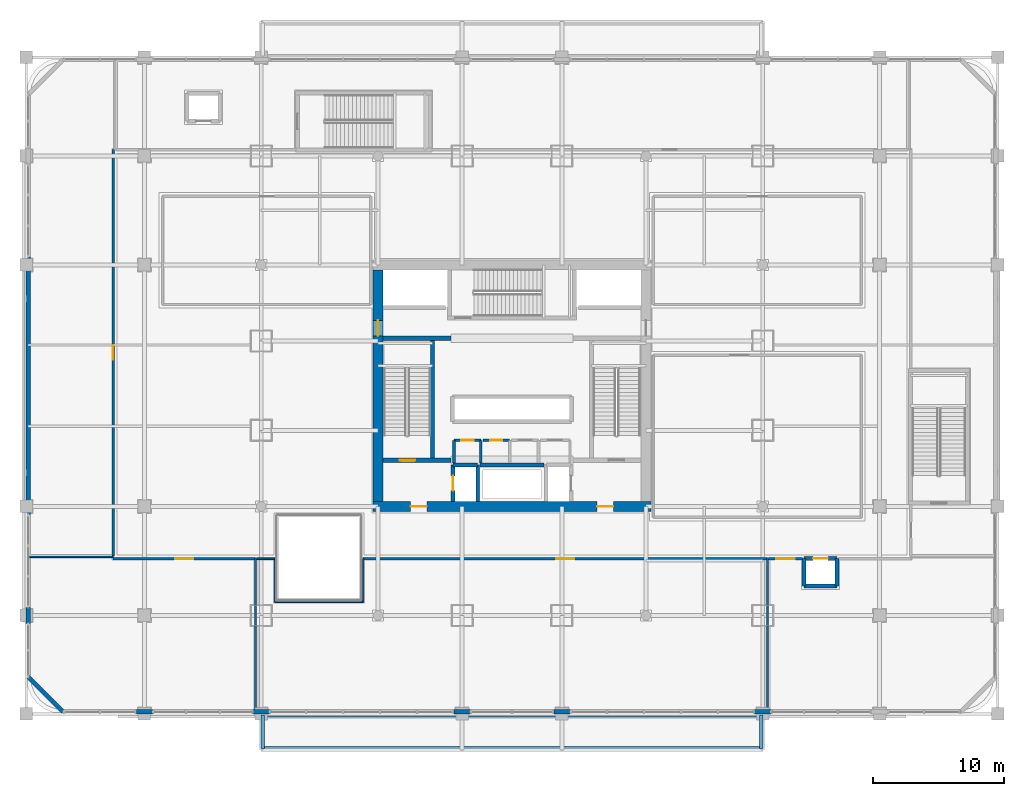
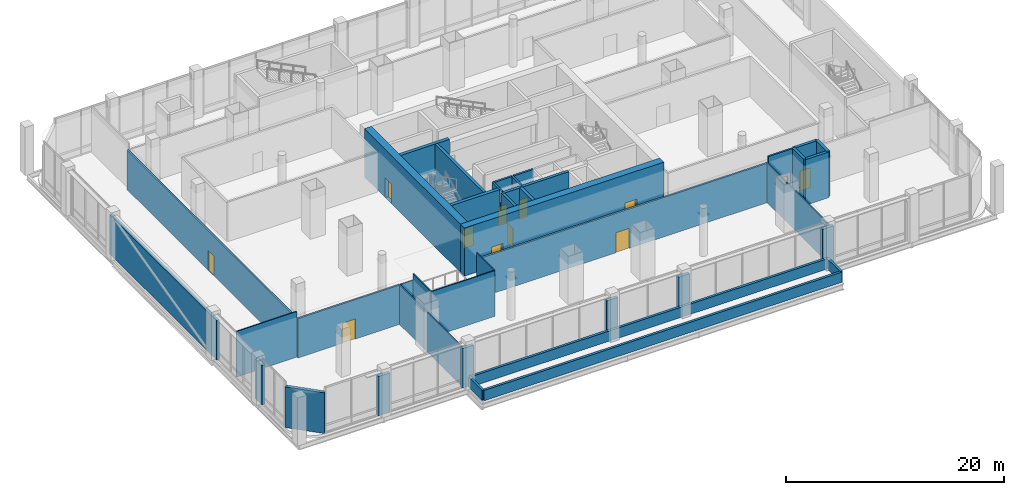
# One storey, part 29 of 43: 40 walls, 12 doors, 12 openings.
"""IFC4 building model written with IfcOpenShell, lengths in metres."""

from ifc_helpers import new_model, si_unit, direction, frame, frame_2d, origin, place, context, subcontext, project, spatial, rectangle, extrude, material, layer, layer_set, type_object, element, fill, save


model = new_model("IFC4")

# Units and contexts
model_context = context("Model", 3, precision=1e-05, world=origin(), true_north=direction((0.0, 1.0)))
body_context = subcontext(model_context, "Body", "Model", "MODEL_VIEW")
ifc_project = project(units=[si_unit("LENGTHUNIT", "METRE"), si_unit("AREAUNIT", "SQUARE_METRE"), si_unit("VOLUMEUNIT", "CUBIC_METRE"), si_unit("PLANEANGLEUNIT", "RADIAN"), si_unit("MASSUNIT", "GRAM", prefix="KILO")], contexts=[model_context])

# Site, building, storey
site_placement = place(None, origin())
site = spatial("IfcSite", under=ifc_project, at=site_placement, CompositionType="ELEMENT")
building_placement = place(site_placement, origin())
building = spatial("IfcBuilding", under=site, at=building_placement, Name="Punatoya Terracotta Tower", CompositionType="ELEMENT")
storey_placement = place(building_placement, frame((0.0, 0.0, 6.0)))
storey = spatial("IfcBuildingStorey", under=building, at=storey_placement, Name="L01", CompositionType="ELEMENT", Elevation=6.0)

# Wall, openings, doors
ifc_material_1 = material(Name="Concrete C60/75", Category="concrete")
ifc_layer_1 = layer(ifc_material_1, 0.75)
ifc_layer_set_1 = layer_set([ifc_layer_1], Name="Concrete C60/75")
wall_type_1 = type_object("IfcWallType", Name="WL-COR-750", PredefinedType="SHEAR", material=ifc_layer_set_1)
wall_1_placement = place(storey_placement, frame((10.574951171875, -9.199951171875, 0.0), z_axis=(0.0, 0.0, 1.0), x_axis=(-1.0, 0.0, 0.0)))
wall_1 = element("IfcWall", 1, at=wall_1_placement, inside=storey, type_object=wall_type_1, Name="L01 Core Shear Wall S", PredefinedType="SHEAR", context=body_context, shape_type="SweptSolid", body=[
    extrude(rectangle(XDim=21.14990234375, YDim=0.75, at=frame_2d((10.574951171875, 0.0))), origin(), (0.0, 0.0, 1.0), 5.39990234375),
])
opening_1_placement = place(wall_1_placement, frame((2.85009765625, 0.0, 0.0)))
opening_1 = element("IfcOpeningElement", 2, at=opening_1_placement, cuts=wall_1, Name="Opening FD-L1", PredefinedType="OPENING", context=body_context, shape_type="SweptSolid", body=[
    extrude(rectangle(XDim=1.25, YDim=2.25, at=frame_2d((0.625, 1.125))), frame((0.0, 0.385009765625, 0.0), z_axis=(0.0, -1.0, 0.0), x_axis=(1.0, 0.0, 0.0)), (0.0, 0.0, 1.0), 0.77001953125),
])
opening_2_placement = place(wall_1_placement, frame((17.050048828125, 0.0, 0.0)))
opening_2 = element("IfcOpeningElement", 3, at=opening_2_placement, cuts=wall_1, Name="Opening FD-L1", PredefinedType="OPENING", context=body_context, shape_type="SweptSolid", body=[
    extrude(rectangle(XDim=1.25, YDim=2.25, at=frame_2d((0.625, 1.125))), frame((0.0, 0.385009765625, 0.0), z_axis=(0.0, -1.0, 0.0), x_axis=(1.0, 0.0, 0.0)), (0.0, 0.0, 1.0), 0.77001953125),
])
ifc_material_2 = material(Name="Galvanised Steel Smokeproof Fire Door", Category="steel")
door_type_1 = type_object("IfcDoorType", Name="DR-FFL-1250", OperationType="NOTDEFINED", PredefinedType="DOOR", material=ifc_material_2)
door_1_placement = place(opening_1_placement, origin())
door_1 = element("IfcDoor", 4, at=door_1_placement, inside=storey, type_object=door_type_1, Name="L01 East Firefighting Lobby Corridor Fire Door", OperationType="SINGLE_SWING_LEFT", OverallHeight=2.25, OverallWidth=1.25, PredefinedType="DOOR", context=body_context, shape_type="SweptSolid", body=[
    extrude(rectangle(XDim=1.25, YDim=2.25, at=frame_2d((0.625, 1.125))), frame((0.0, 0.02490234375, 0.0), z_axis=(0.0, -1.0, 0.0), x_axis=(1.0, 0.0, 0.0)), (0.0, 0.0, 1.0), 0.050048828125),
])
fill(opening_1, door_1)
door_2_placement = place(opening_2_placement, origin())
door_2 = element("IfcDoor", 5, at=door_2_placement, inside=storey, type_object=door_type_1, Name="L01 West Firefighting Lobby Corridor Fire Door", OperationType="SINGLE_SWING_RIGHT", OverallHeight=2.25, OverallWidth=1.25, PredefinedType="DOOR", context=body_context, shape_type="SweptSolid", body=[
    extrude(rectangle(XDim=1.25, YDim=2.25, at=frame_2d((0.625, 1.125))), frame((0.0, 0.02490234375, 0.0), z_axis=(0.0, -1.0, 0.0), x_axis=(1.0, 0.0, 0.0)), (0.0, 0.0, 1.0), 0.050048828125),
])
fill(opening_2, door_2)

# Wall, opening, door
wall_2_placement = place(storey_placement, frame((-10.199951171875, -8.824951171875, 0.0), z_axis=(0.0, 0.0, 1.0), x_axis=(0.0, 1.0, 0.0)))
wall_2 = element("IfcWall", 6, at=wall_2_placement, inside=storey, type_object=wall_type_1, Name="L01 Core Shear Wall W", PredefinedType="SHEAR", context=body_context, shape_type="SweptSolid", body=[
    extrude(rectangle(XDim=17.64990234375, YDim=0.75, at=frame_2d((8.824951171875, 0.0))), origin(), (0.0, 0.0, 1.0), 5.39990234375),
])
opening_3_placement = place(wall_2_placement, frame((12.614990234375, 0.0, 0.0)))
opening_3 = element("IfcOpeningElement", 7, at=opening_3_placement, cuts=wall_2, Name="Opening SD-01", PredefinedType="OPENING", context=body_context, shape_type="SweptSolid", body=[
    extrude(rectangle(XDim=1.179931640625, YDim=2.199951171875, at=frame_2d((0.58984375, 1.10009765625))), frame((0.0, 0.385009765625, 0.0), z_axis=(0.0, -1.0, 0.0), x_axis=(1.0, 0.0, 0.0)), (0.0, 0.0, 1.0), 0.77001953125),
])
ifc_material_3 = material(Name="Galvanised Steel Pressurized Stair Fire Door", Category="steel")
door_type_2 = type_object("IfcDoorType", Name="DR-STR-1180", OperationType="NOTDEFINED", PredefinedType="DOOR", material=ifc_material_3)
door_3_placement = place(opening_3_placement, origin())
door_3 = element("IfcDoor", 8, at=door_3_placement, inside=storey, type_object=door_type_2, Name="L01 Central Lift Lobby West Fire Door", OperationType="SINGLE_SWING_LEFT", OverallHeight=2.199951171875, OverallWidth=1.179931640625, PredefinedType="DOOR", context=body_context, shape_type="SweptSolid", body=[
    extrude(rectangle(XDim=1.179931640625, YDim=2.199951171875, at=frame_2d((0.58984375, 1.10009765625))), frame((0.0, 0.02490234375, 0.0), z_axis=(0.0, -1.0, 0.0), x_axis=(1.0, 0.0, 0.0)), (0.0, 0.0, 1.0), 0.050048828125),
])
fill(opening_3, door_3)

ifc_material_4 = material(Name="Gypsum Fireboard + Steel Stud", Category="steel")
ifc_layer_2 = layer(ifc_material_4, 0.179931640625)
ifc_layer_set_2 = layer_set([ifc_layer_2], Name="Gypsum Fireboard + Steel Stud")
wall_type_2 = type_object("IfcWallType", Name="WL-CORR-180", PredefinedType="PARTITIONING", material=ifc_layer_set_2)
wall_3_placement = place(storey_placement, frame((-30.3798828125, -13.179931640625, 0.0), z_axis=(0.0, 0.0, 1.0), x_axis=(1.0, 0.0, 0.0)))
wall_3 = element("IfcWall", 9, at=wall_3_placement, inside=storey, type_object=wall_type_2, Name="L01 South-West Plenary Seminar Suite Partition 11", PredefinedType="PARTITIONING", context=body_context, shape_type="SweptSolid", body=[
    extrude(rectangle(XDim=10.83984375, YDim=0.179931640625, at=frame_2d((5.419921875, 0.0))), origin(), (0.0, 0.0, 1.0), 4.4140625),
])
opening_4_placement = place(wall_3_placement, frame((4.719970703125, 0.0, 0.0)))
opening_4 = element("IfcOpeningElement", 10, at=opening_4_placement, cuts=wall_3, Name="Opening BD-01", PredefinedType="OPENING", context=body_context, shape_type="SweptSolid", body=[
    extrude(rectangle(XDim=1.39990234375, YDim=2.25, at=frame_2d((0.699951171875, 1.125))), frame((0.0, 0.099853515625, 0.0), z_axis=(0.0, -1.0, 0.0), x_axis=(1.0, 0.0, 0.0)), (0.0, 0.0, 1.0), 0.199951171875),
])
ifc_material_5 = material(Name="Bengal Teak Acoustic Leaf")
door_type_3 = type_object("IfcDoorType", Name="DR-BRD-1400", OperationType="NOTDEFINED", PredefinedType="DOOR", material=ifc_material_5)
door_4_placement = place(opening_4_placement, origin())
door_4 = element("IfcDoor", 11, at=door_4_placement, inside=storey, type_object=door_type_3, Name="L01 South-West Plenary Seminar Suite Door", OperationType="SINGLE_SWING_RIGHT", OverallHeight=2.25, OverallWidth=1.39990234375, PredefinedType="DOOR", context=body_context, shape_type="SweptSolid", body=[
    extrude(rectangle(XDim=1.39990234375, YDim=2.25, at=frame_2d((0.699951171875, 1.125))), frame((0.0, 0.02490234375, 0.0), z_axis=(0.0, -1.0, 0.0), x_axis=(1.0, 0.0, 0.0)), (0.0, 0.0, 1.0), 0.050048828125),
])
fill(opening_4, door_4)

wall_4_placement = place(storey_placement, frame((-11.340087890625, -13.179931640625, 0.0), z_axis=(0.0, 0.0, 1.0), x_axis=(1.0, 0.0, 0.0)))
wall_4 = element("IfcWall", 12, at=wall_4_placement, inside=storey, type_object=wall_type_2, Name="L01 South Canal View Breakout Lounge Partition 17", PredefinedType="PARTITIONING", context=body_context, shape_type="SweptSolid", body=[
    extrude(rectangle(XDim=30.800048828125, YDim=0.179931640625, at=frame_2d((15.39990234375, 0.0))), origin(), (0.0, 0.0, 1.0), 4.4140625),
])
opening_5_placement = place(wall_4_placement, frame((14.699951171875, 0.0, 0.0)))
opening_5 = element("IfcOpeningElement", 13, at=opening_5_placement, cuts=wall_4, Name="Opening BD-01", PredefinedType="OPENING", context=body_context, shape_type="SweptSolid", body=[
    extrude(rectangle(XDim=1.39990234375, YDim=2.25, at=frame_2d((0.699951171875, 1.125))), frame((0.0, 0.099853515625, 0.0), z_axis=(0.0, -1.0, 0.0), x_axis=(1.0, 0.0, 0.0)), (0.0, 0.0, 1.0), 0.199951171875),
])
door_5_placement = place(opening_5_placement, origin())
door_5 = element("IfcDoor", 14, at=door_5_placement, inside=storey, type_object=door_type_3, Name="L01 South Canal View Breakout Lounge Door", OperationType="SINGLE_SWING_LEFT", OverallHeight=2.25, OverallWidth=1.39990234375, PredefinedType="DOOR", context=body_context, shape_type="SweptSolid", body=[
    extrude(rectangle(XDim=1.39990234375, YDim=2.25, at=frame_2d((0.699951171875, 1.125))), frame((0.0, 0.02490234375, 0.0), z_axis=(0.0, -1.0, 0.0), x_axis=(1.0, 0.0, 0.0)), (0.0, 0.0, 1.0), 0.050048828125),
])
fill(opening_5, door_5)

wall_5_placement = place(storey_placement, frame((19.5400390625, -13.179931640625, 0.0), z_axis=(0.0, 0.0, 1.0), x_axis=(1.0, 0.0, 0.0)))
wall_5 = element("IfcWall", 15, at=wall_5_placement, inside=storey, type_object=wall_type_2, Name="L01 South-East Waterfront Symposium Room Partition 19", PredefinedType="PARTITIONING", context=body_context, shape_type="SweptSolid", body=[
    extrude(rectangle(XDim=2.599853515625, YDim=0.179931640625, at=frame_2d((1.2998046875, 0.0))), origin(), (0.0, 0.0, 1.0), 5.1201171875),
])
opening_6_placement = place(wall_5_placement, frame((0.60009765625, 0.0, 0.0)))
opening_6 = element("IfcOpeningElement", 16, at=opening_6_placement, cuts=wall_5, Name="Opening BD-01", PredefinedType="OPENING", context=body_context, shape_type="SweptSolid", body=[
    extrude(rectangle(XDim=1.39990234375, YDim=2.25, at=frame_2d((0.699951171875, 1.125))), frame((0.0, 0.099853515625, 0.0), z_axis=(0.0, -1.0, 0.0), x_axis=(1.0, 0.0, 0.0)), (0.0, 0.0, 1.0), 0.199951171875),
])
door_6_placement = place(opening_6_placement, origin())
door_6 = element("IfcDoor", 17, at=door_6_placement, inside=storey, type_object=door_type_3, Name="L01 South-East Waterfront Symposium Room Door", OperationType="SINGLE_SWING_RIGHT", OverallHeight=2.25, OverallWidth=1.39990234375, PredefinedType="DOOR", context=body_context, shape_type="SweptSolid", body=[
    extrude(rectangle(XDim=1.39990234375, YDim=2.25, at=frame_2d((0.699951171875, 1.125))), frame((0.0, 0.02490234375, 0.0), z_axis=(0.0, -1.0, 0.0), x_axis=(1.0, 0.0, 0.0)), (0.0, 0.0, 1.0), 0.050048828125),
])
fill(opening_6, door_6)

wall_6_placement = place(storey_placement, frame((-30.3798828125, 17.97998046875, 0.0), z_axis=(0.0, 0.0, 1.0), x_axis=(0.0, -1.0, 0.0)))
wall_6 = element("IfcWall", 18, at=wall_6_placement, inside=storey, type_object=wall_type_2, Name="L01 West Corporate Training Centre Partition 23", PredefinedType="PARTITIONING", context=body_context, shape_type="SweptSolid", body=[
    extrude(rectangle(XDim=30.93994140625, YDim=0.179931640625, at=frame_2d((15.469970703125, 0.0))), origin(), (0.0, 0.0, 1.0), 4.4140625),
])
opening_7_placement = place(wall_6_placement, frame((14.945068359375, 0.0, 0.0)))
opening_7 = element("IfcOpeningElement", 19, at=opening_7_placement, cuts=wall_6, Name="Opening OD-01", PredefinedType="OPENING", context=body_context, shape_type="SweptSolid", body=[
    extrude(rectangle(XDim=1.050048828125, YDim=2.199951171875, at=frame_2d((0.52490234375, 1.10009765625))), frame((0.0, 0.099853515625, 0.0), z_axis=(0.0, -1.0, 0.0), x_axis=(1.0, 0.0, 0.0)), (0.0, 0.0, 1.0), 0.199951171875),
])
ifc_material_6 = material(Name="Bengal Teak Solid-Core Leaf")
door_type_4 = type_object("IfcDoorType", Name="DR-OFF-1050", OperationType="NOTDEFINED", PredefinedType="DOOR", material=ifc_material_6)
door_7_placement = place(opening_7_placement, origin())
door_7 = element("IfcDoor", 20, at=door_7_placement, inside=storey, type_object=door_type_4, Name="L01 West Corporate Training Centre Door", OperationType="SINGLE_SWING_LEFT", OverallHeight=2.199951171875, OverallWidth=1.050048828125, PredefinedType="DOOR", context=body_context, shape_type="SweptSolid", body=[
    extrude(rectangle(XDim=1.050048828125, YDim=2.199951171875, at=frame_2d((0.52490234375, 1.10009765625))), frame((0.0, 0.02490234375, 0.0), z_axis=(0.0, -1.0, 0.0), x_axis=(1.0, 0.0, 0.0)), (0.0, 0.0, 1.0), 0.050048828125),
])
fill(opening_7, door_7)

# Walls
ifc_material_7 = material(Name="Precast concrete C40/50", Category="concrete")
ifc_layer_3 = layer(ifc_material_7, 0.320068359375)
ifc_layer_set_3 = layer_set([ifc_layer_3], Name="Precast concrete C40/50")
wall_type_3 = type_object("IfcWallType", Name="WL-EXT-320", PredefinedType="SOLIDWALL", material=ifc_layer_set_3)
wall_7_placement = place(storey_placement, frame((-28.6201171875, -24.840087890625, 0.0), z_axis=(0.0, 0.0, 1.0), x_axis=(1.0, 0.0, 0.0)))
element("IfcWall", 21, at=wall_7_placement, inside=storey, type_object=wall_type_3, Name="L01 South Column Cladding Pier 1", PredefinedType="SOLIDWALL", context=body_context, shape_type="SweptSolid", body=[
    extrude(rectangle(XDim=1.240234375, YDim=0.320068359375, at=frame_2d((0.6201171875, 0.0))), origin(), (0.0, 0.0, 1.0), 4.4140625),
])
for number, where, z_axis, x_axis, name in (
    (22, (-19.719970703125, -24.840087890625, 0.0), (0.0, 0.0, 1.0), (1.0, 0.0, 0.0), "L01 South Column Cladding Pier 2"),
    (23, (-4.419921875, -24.840087890625, 0.0), (0.0, 0.0, 1.0), (1.0, 0.0, 0.0), "L01 South Column Cladding Pier 3"),
    (24, (3.179931640625, -24.840087890625, 0.0), (0.0, 0.0, 1.0), (1.0, 0.0, 0.0), "L01 South Column Cladding Pier 4"),
    (25, (18.47998046875, -24.840087890625, 0.0), (0.0, 0.0, 1.0), (1.0, 0.0, 0.0), "L01 South Column Cladding Pier 5"),
):
    element("IfcWall", number, at=place(storey_placement, frame(where, z_axis=z_axis, x_axis=x_axis)), inside=storey, type_object=wall_type_3, Name=name, PredefinedType="SOLIDWALL", context=body_context, shape_type="SweptSolid", body=[
        extrude(rectangle(XDim=1.239990234375, YDim=0.320068359375, at=frame_2d((0.6201171875, 0.0))), origin(), (0.0, 0.0, 1.0), 4.4140625),
    ])
wall_8_placement = place(storey_placement, frame((-36.840087890625, -9.820068359375, 0.0), z_axis=(0.0, 0.0, 1.0), x_axis=(0.0, 1.0, 0.0)))
element("IfcWall", 26, at=wall_8_placement, inside=storey, type_object=wall_type_3, Name="L01 West Braced Terracotta Shear Wall", PredefinedType="SOLIDWALL", context=body_context, shape_type="SweptSolid", body=[
    extrude(rectangle(XDim=19.64013671875, YDim=0.320068359375, at=frame_2d((9.820068359375, 0.0))), origin(), (0.0, 0.0, 1.0), 4.4140625),
])
wall_9_placement = place(storey_placement, frame((-36.840087890625, -18.1201171875, 0.0), z_axis=(0.0, 0.0, 1.0), x_axis=(0.0, 1.0, 0.0)))
element("IfcWall", 27, at=wall_9_placement, inside=storey, type_object=wall_type_3, Name="L01 West Pier 1-B", PredefinedType="SOLIDWALL", context=body_context, shape_type="SweptSolid", body=[
    extrude(rectangle(XDim=1.240234375, YDim=0.320068359375, at=frame_2d((0.6201171875, 0.0))), origin(), (0.0, 0.0, 1.0), 4.4140625),
])
wall_10_placement = place(storey_placement, frame((-34.199951171875, -24.840087890625, 0.0), z_axis=(0.0, 0.0, 1.0), x_axis=(-0.707106781187, 0.707106781187, 0.0)))
element("IfcWall", 28, at=wall_10_placement, inside=storey, type_object=wall_type_3, Name="L01 Terracotta Corner Pier 1", PredefinedType="SOLIDWALL", context=body_context, shape_type="SweptSolid", body=[
    extrude(rectangle(XDim=3.733642578125, YDim=0.320068359375, at=frame_2d((1.86669921875, 0.0))), origin(), (0.0, 0.0, 1.0), 4.56396484375),
])
ifc_material_8 = material(Name="Concrete C40/50", Category="concrete")
ifc_layer_4 = layer(ifc_material_8, 0.199951171875)
ifc_layer_set_4 = layer_set([ifc_layer_4], Name="Concrete C40/50")
wall_type_4 = type_object("IfcWallType", Name="WL-INT-200", PredefinedType="SOLIDWALL", material=ifc_layer_set_4)
wall_11_placement = place(storey_placement, frame((-2.3798828125, -5.89990234375, 0.0), z_axis=(0.0, 0.0, 1.0), x_axis=(0.0, 1.0, 0.0)))
element("IfcWall", 29, at=wall_11_placement, inside=storey, type_object=wall_type_4, Name="L01 Male Washroom Partition 01", PredefinedType="SOLIDWALL", context=body_context, shape_type="SweptSolid", body=[
    extrude(rectangle(XDim=1.739990234375, YDim=0.199951171875, at=frame_2d((0.8701171875, 0.0))), origin(), (0.0, 0.0, 1.0), 5.1201171875),
])

# Wall, opening, door
wall_12_placement = place(storey_placement, frame((-2.3798828125, -4.159912109375, 0.0), z_axis=(0.0, 0.0, 1.0), x_axis=(-1.0, 0.0, 0.0)))
wall_12 = element("IfcWall", 30, at=wall_12_placement, inside=storey, type_object=wall_type_4, Name="L01 Male Washroom Partition 02", PredefinedType="SOLIDWALL", context=body_context, shape_type="SweptSolid", body=[
    extrude(rectangle(XDim=2.0400390625, YDim=0.199951171875, at=frame_2d((1.02001953125, 0.0))), origin(), (0.0, 0.0, 1.0), 5.1201171875),
])
opening_8_placement = place(wall_12_placement, frame((0.544921875, 0.0, 0.0)))
opening_8 = element("IfcOpeningElement", 31, at=opening_8_placement, cuts=wall_12, Name="Opening WD-01", PredefinedType="OPENING", context=body_context, shape_type="SweptSolid", body=[
    extrude(rectangle(XDim=0.949951171875, YDim=2.14990234375, at=frame_2d((0.47509765625, 1.074951171875))), frame((0.0, 0.10986328125, 0.0), z_axis=(0.0, -1.0, 0.0), x_axis=(1.0, 0.0, 0.0)), (0.0, 0.0, 1.0), 0.219970703125),
])
ifc_material_9 = material(Name="Moisture-Resistant Laminate Timber Leaf", Category="wood")
door_type_5 = type_object("IfcDoorType", Name="DR-WC-950", OperationType="NOTDEFINED", PredefinedType="DOOR", material=ifc_material_9)
door_8_placement = place(opening_8_placement, origin())
door_8 = element("IfcDoor", 32, at=door_8_placement, inside=storey, type_object=door_type_5, Name="L01 Male Washroom Door", OperationType="SINGLE_SWING_RIGHT", OverallHeight=2.14990234375, OverallWidth=0.949951171875, PredefinedType="DOOR", context=body_context, shape_type="SweptSolid", body=[
    extrude(rectangle(XDim=0.949951171875, YDim=2.14990234375, at=frame_2d((0.47509765625, 1.074951171875))), frame((0.0, 0.02490234375, 0.0), z_axis=(0.0, -1.0, 0.0), x_axis=(1.0, 0.0, 0.0)), (0.0, 0.0, 1.0), 0.050048828125),
])
fill(opening_8, door_8)

# Wall
wall_13_placement = place(storey_placement, frame((-4.419921875, -4.159912109375, 0.0), z_axis=(0.0, 0.0, 1.0), x_axis=(0.0, -1.0, 0.0)))
element("IfcWall", 33, at=wall_13_placement, inside=storey, type_object=wall_type_4, Name="L01 Male Washroom Partition 03", PredefinedType="SOLIDWALL", context=body_context, shape_type="SweptSolid", body=[
    extrude(rectangle(XDim=1.739990234375, YDim=0.199951171875, at=frame_2d((0.8701171875, 0.0))), origin(), (0.0, 0.0, 1.0), 5.1201171875),
])

# Wall, opening, door
wall_14_placement = place(storey_placement, frame((-0.179931640625, -4.159912109375, 0.0), z_axis=(0.0, 0.0, 1.0), x_axis=(-1.0, 0.0, 0.0)))
wall_14 = element("IfcWall", 34, at=wall_14_placement, inside=storey, type_object=wall_type_4, Name="L01 Female Washroom Partition 05", PredefinedType="SOLIDWALL", context=body_context, shape_type="SweptSolid", body=[
    extrude(rectangle(XDim=2.0400390625, YDim=0.199951171875, at=frame_2d((1.02001953125, 0.0))), origin(), (0.0, 0.0, 1.0), 5.1201171875),
])
opening_9_placement = place(wall_14_placement, frame((0.544921875, 0.0, 0.0)))
opening_9 = element("IfcOpeningElement", 35, at=opening_9_placement, cuts=wall_14, Name="Opening WD-01", PredefinedType="OPENING", context=body_context, shape_type="SweptSolid", body=[
    extrude(rectangle(XDim=0.949951171875, YDim=2.14990234375, at=frame_2d((0.47509765625, 1.074951171875))), frame((0.0, 0.10986328125, 0.0), z_axis=(0.0, -1.0, 0.0), x_axis=(1.0, 0.0, 0.0)), (0.0, 0.0, 1.0), 0.219970703125),
])
door_9_placement = place(opening_9_placement, origin())
door_9 = element("IfcDoor", 36, at=door_9_placement, inside=storey, type_object=door_type_5, Name="L01 Female Washroom Door", OperationType="SINGLE_SWING_LEFT", OverallHeight=2.14990234375, OverallWidth=0.949951171875, PredefinedType="DOOR", context=body_context, shape_type="SweptSolid", body=[
    extrude(rectangle(XDim=0.949951171875, YDim=2.14990234375, at=frame_2d((0.47509765625, 1.074951171875))), frame((0.0, 0.02490234375, 0.0), z_axis=(0.0, -1.0, 0.0), x_axis=(1.0, 0.0, 0.0)), (0.0, 0.0, 1.0), 0.050048828125),
])
fill(opening_9, door_9)

# Walls
ifc_material_10 = material(Name="Gypsum Partition + Steel Stud", Category="steel")
ifc_layer_5 = layer(ifc_material_10, 0.1201171875)
ifc_layer_set_5 = layer_set([ifc_layer_5], Name="Gypsum Partition + Steel Stud")
wall_type_5 = type_object("IfcWallType", Name="WL-OFF-120", PredefinedType="PARTITIONING", material=ifc_layer_set_5)
wall_15_placement = place(storey_placement, frame((-36.780029296875, -13.0400390625, 0.0), z_axis=(0.0, 0.0, 1.0), x_axis=(1.0, 0.0, 0.0)))
element("IfcWall", 37, at=wall_15_placement, inside=storey, type_object=wall_type_5, Name="L01 South-West Plenary Seminar Suite Partition 10", PredefinedType="PARTITIONING", context=body_context, shape_type="SweptSolid", body=[
    extrude(rectangle(XDim=6.400146484375, YDim=0.1201171875, at=frame_2d((3.2001953125, 0.0))), origin(), (0.0, 0.0, 1.0), 5.1201171875),
])
wall_16_placement = place(storey_placement, frame((-19.5400390625, -13.179931640625, 0.0), z_axis=(0.0, 0.0, 1.0), x_axis=(0.0, -1.0, 0.0)))
element("IfcWall", 38, at=wall_16_placement, inside=storey, type_object=wall_type_5, Name="L01 South-West Plenary Seminar Suite Partition 12", PredefinedType="PARTITIONING", context=body_context, shape_type="SweptSolid", body=[
    extrude(rectangle(XDim=11.60009765625, YDim=0.1201171875, at=frame_2d((5.800048828125, 0.0))), origin(), (0.0, 0.0, 1.0), 4.4140625),
])
wall_17_placement = place(storey_placement, frame((-19.4599609375, -13.179931640625, 0.0), z_axis=(0.0, 0.0, 1.0), x_axis=(1.0, 0.0, 0.0)))
element("IfcWall", 39, at=wall_17_placement, inside=storey, type_object=wall_type_5, Name="L01 South Canal View Breakout Lounge Partition 13", PredefinedType="PARTITIONING", context=body_context, shape_type="SweptSolid", body=[
    extrude(rectangle(XDim=1.39990234375, YDim=0.1201171875, at=frame_2d((0.699951171875, 0.0))), origin(), (0.0, 0.0, 1.0), 4.4140625),
])
wall_18_placement = place(storey_placement, frame((-18.06005859375, -13.179931640625, 0.0), z_axis=(0.0, 0.0, 1.0), x_axis=(0.0, -1.0, 0.0)))
element("IfcWall", 40, at=wall_18_placement, inside=storey, type_object=wall_type_5, Name="L01 South Canal View Breakout Lounge Partition 14", PredefinedType="PARTITIONING", context=body_context, shape_type="SweptSolid", body=[
    extrude(rectangle(XDim=3.280029296875, YDim=0.1201171875, at=frame_2d((1.64013671875, 0.0))), origin(), (0.0, 0.0, 1.0), 5.1201171875),
])
wall_19_placement = place(storey_placement, frame((-18.06005859375, -16.4599609375, 0.0), z_axis=(0.0, 0.0, 1.0), x_axis=(1.0, 0.0, 0.0)))
element("IfcWall", 41, at=wall_19_placement, inside=storey, type_object=wall_type_5, Name="L01 South Canal View Breakout Lounge Partition 15", PredefinedType="PARTITIONING", context=body_context, shape_type="SweptSolid", body=[
    extrude(rectangle(XDim=6.719970703125, YDim=0.1201171875, at=frame_2d((3.35986328125, 0.0))), origin(), (0.0, 0.0, 1.0), 5.1201171875),
])
wall_20_placement = place(storey_placement, frame((-11.340087890625, -16.4599609375, 0.0), z_axis=(0.0, 0.0, 1.0), x_axis=(0.0, 1.0, 0.0)))
element("IfcWall", 42, at=wall_20_placement, inside=storey, type_object=wall_type_5, Name="L01 South Canal View Breakout Lounge Partition 16", PredefinedType="PARTITIONING", context=body_context, shape_type="SweptSolid", body=[
    extrude(rectangle(XDim=3.280029296875, YDim=0.1201171875, at=frame_2d((1.64013671875, 0.0))), origin(), (0.0, 0.0, 1.0), 5.1201171875),
])
wall_21_placement = place(storey_placement, frame((19.4599609375, -13.179931640625, 0.0), z_axis=(0.0, 0.0, 1.0), x_axis=(0.0, -1.0, 0.0)))
element("IfcWall", 43, at=wall_21_placement, inside=storey, type_object=wall_type_5, Name="L01 South Canal View Breakout Lounge Partition 18", PredefinedType="PARTITIONING", context=body_context, shape_type="SweptSolid", body=[
    extrude(rectangle(XDim=11.60009765625, YDim=0.1201171875, at=frame_2d((5.800048828125, 0.0))), origin(), (0.0, 0.0, 1.0), 4.4140625),
])
ifc_layer_6 = layer(ifc_material_7, 0.260009765625)
ifc_layer_set_6 = layer_set([ifc_layer_6], Name="Precast concrete C40/50")
wall_type_6 = type_object("IfcWallType", Name="WL-PAR-260", PredefinedType="PARAPET", material=ifc_layer_set_6)
wall_22_placement = place(storey_placement, frame((-19.0, -25.10009765625, 0.0), z_axis=(0.0, 0.0, 1.0), x_axis=(0.0, -1.0, 0.0)))
element("IfcWall", 44, at=wall_22_placement, inside=storey, type_object=wall_type_6, Name="L01 Roof Parapet Wall PAR-L01-CANS-01", PredefinedType="PARAPET", context=body_context, shape_type="SweptSolid", body=[
    extrude(rectangle(XDim=2.52001953125, YDim=0.260009765625, at=frame_2d((1.260009765625, 0.0))), origin(), (0.0, 0.0, 1.0), 1.14990234375),
])
wall_23_placement = place(storey_placement, frame((-19.0, -27.6201171875, 0.0), z_axis=(0.0, 0.0, 1.0), x_axis=(1.0, 0.0, 0.0)))
element("IfcWall", 45, at=wall_23_placement, inside=storey, type_object=wall_type_6, Name="L01 Roof Parapet Wall PAR-L01-CANS-02", PredefinedType="PARAPET", context=body_context, shape_type="SweptSolid", body=[
    extrude(rectangle(XDim=38.0, YDim=0.260009765625, at=frame_2d((19.0, 0.0))), origin(), (0.0, 0.0, 1.0), 1.14990234375),
])
wall_24_placement = place(storey_placement, frame((19.0, -27.6201171875, 0.0), z_axis=(0.0, 0.0, 1.0), x_axis=(0.0, 1.0, 0.0)))
element("IfcWall", 46, at=wall_24_placement, inside=storey, type_object=wall_type_6, Name="L01 Roof Parapet Wall PAR-L01-CANS-03", PredefinedType="PARAPET", context=body_context, shape_type="SweptSolid", body=[
    extrude(rectangle(XDim=2.52001953125, YDim=0.260009765625, at=frame_2d((1.260009765625, 0.0))), origin(), (0.0, 0.0, 1.0), 1.14990234375),
])
wall_25_placement = place(storey_placement, frame((19.0, -25.10009765625, 0.0), z_axis=(0.0, 0.0, 1.0), x_axis=(-1.0, 0.0, 0.0)))
element("IfcWall", 47, at=wall_25_placement, inside=storey, type_object=wall_type_6, Name="L01 Roof Parapet Wall PAR-L01-CANS-04", PredefinedType="PARAPET", context=body_context, shape_type="SweptSolid", body=[
    extrude(rectangle(XDim=38.0, YDim=0.260009765625, at=frame_2d((19.0, 0.0))), origin(), (0.0, 0.0, 1.0), 1.14990234375),
])
ifc_layer_7 = layer(ifc_material_8, 0.300048828125)
ifc_layer_set_7 = layer_set([ifc_layer_7], Name="Concrete C40/50")
wall_type_7 = type_object("IfcWallType", Name="WL-SHF-300", PredefinedType="SOLIDWALL", material=ifc_layer_set_7)
wall_26_placement = place(storey_placement, frame((-6.050048828125, -5.5, 0.0), z_axis=(0.0, 0.0, 1.0), x_axis=(0.0, 1.0, 0.0)))
element("IfcWall", 48, at=wall_26_placement, inside=storey, type_object=wall_type_7, Name="L01 Structural Stair Shaft Wall SW-ST1-E", PredefinedType="SOLIDWALL", context=body_context, shape_type="SweptSolid", body=[
    extrude(rectangle(XDim=8.949951171875, YDim=0.300048828125, at=frame_2d((4.47509765625, 0.0))), origin(), (0.0, 0.0, 1.0), 5.39990234375),
])

# Wall, opening, door
wall_27_placement = place(storey_placement, frame((-4.489990234375, -8.820068359375, 0.0), z_axis=(0.0, 0.0, 1.0), x_axis=(0.0, 1.0, 0.0)))
wall_27 = element("IfcWall", 49, at=wall_27_placement, inside=storey, type_object=wall_type_7, Name="L01 FFL-1 Front Hoistway Wall", PredefinedType="SOLIDWALL", context=body_context, shape_type="SweptSolid", body=[
    extrude(rectangle(XDim=2.77001953125, YDim=0.300048828125, at=frame_2d((1.385009765625, 0.0))), origin(), (0.0, 0.0, 1.0), 5.1201171875),
])
opening_10_placement = place(wall_27_placement, frame((0.824951171875, 0.0, 0.0)))
opening_10 = element("IfcOpeningElement", 50, at=opening_10_placement, cuts=wall_27, Name="Opening LD-02", PredefinedType="OPENING", context=body_context, shape_type="SweptSolid", body=[
    extrude(rectangle(XDim=1.1201171875, YDim=2.25, at=frame_2d((0.56005859375, 1.125))), frame((0.0, 0.159912109375, 0.0), z_axis=(0.0, -1.0, 0.0), x_axis=(1.0, 0.0, 0.0)), (0.0, 0.0, 1.0), 0.320068359375),
])
ifc_material_11 = material(Name="Stainless Steel Lift Landing Door", Category="steel")
door_type_6 = type_object("IfcDoorType", Name="DR-LND-1120", OperationType="NOTDEFINED", PredefinedType="DOOR", material=ifc_material_11)
door_10_placement = place(opening_10_placement, origin())
door_10 = element("IfcDoor", 51, at=door_10_placement, inside=storey, type_object=door_type_6, Name="L01 Firefighting Lift FFL-1 Sliding Landing Door", OperationType="SLIDING_TO_LEFT", OverallHeight=2.25, OverallWidth=1.1201171875, PredefinedType="DOOR", context=body_context, shape_type="SweptSolid", body=[
    extrude(rectangle(XDim=1.1201171875, YDim=2.25, at=frame_2d((0.56005859375, 1.125))), frame((0.0, 0.02490234375, 0.0), z_axis=(0.0, -1.0, 0.0), x_axis=(1.0, 0.0, 0.0)), (0.0, 0.0, 1.0), 0.050048828125),
])
fill(opening_10, door_10)

# Walls
wall_28_placement = place(storey_placement, frame((-2.610107421875, -8.820068359375, 0.0), z_axis=(0.0, 0.0, 1.0), x_axis=(0.0, 1.0, 0.0)))
element("IfcWall", 52, at=wall_28_placement, inside=storey, type_object=wall_type_7, Name="L01 FFL-1 Rear Hoistway Wall", PredefinedType="SOLIDWALL", context=body_context, shape_type="SweptSolid", body=[
    extrude(rectangle(XDim=2.77001953125, YDim=0.300048828125, at=frame_2d((1.385009765625, 0.0))), origin(), (0.0, 0.0, 1.0), 5.1201171875),
])
wall_29_placement = place(storey_placement, frame((-4.489990234375, -6.050048828125, 0.0), z_axis=(0.0, 0.0, 1.0), x_axis=(1.0, 0.0, 0.0)))
element("IfcWall", 53, at=wall_29_placement, inside=storey, type_object=wall_type_7, Name="L01 FFL-1 North Hoistway Wall", PredefinedType="SOLIDWALL", context=body_context, shape_type="SweptSolid", body=[
    extrude(rectangle(XDim=1.8798828125, YDim=0.300048828125, at=frame_2d((0.93994140625, 0.0))), origin(), (0.0, 0.0, 1.0), 5.1201171875),
])
wall_30_placement = place(storey_placement, frame((-2.449951171875, -6.050048828125, 0.0), z_axis=(0.0, 0.0, 1.0), x_axis=(1.0, 0.0, 0.0)))
element("IfcWall", 54, at=wall_30_placement, inside=storey, type_object=wall_type_7, Name="L01 Observation Shuttle Rear Hoistway Wall", PredefinedType="SOLIDWALL", context=body_context, shape_type="SweptSolid", body=[
    extrude(rectangle(XDim=4.89990234375, YDim=0.300048828125, at=frame_2d((2.449951171875, 0.0))), origin(), (0.0, 0.0, 1.0), 5.1201171875),
])

# Wall, opening, door
wall_31_placement = place(storey_placement, frame((22.25, -13.14990234375, 0.0), z_axis=(0.0, 0.0, 1.0), x_axis=(1.0, 0.0, 0.0)))
wall_31 = element("IfcWall", 55, at=wall_31_placement, inside=storey, type_object=wall_type_7, Name="L01 Podium Lift PL-P2 Front Wall", PredefinedType="SOLIDWALL", context=body_context, shape_type="SweptSolid", body=[
    extrude(rectangle(XDim=2.5, YDim=0.300048828125, at=frame_2d((1.25, 0.0))), origin(), (0.0, 0.0, 1.0), 5.1201171875),
])
opening_11_placement = place(wall_31_placement, frame((0.68994140625, 0.0, 0.0)))
opening_11 = element("IfcOpeningElement", 56, at=opening_11_placement, cuts=wall_31, Name="Opening LD-02", PredefinedType="OPENING", context=body_context, shape_type="SweptSolid", body=[
    extrude(rectangle(XDim=1.1201171875, YDim=2.25, at=frame_2d((0.56005859375, 1.125))), frame((0.0, 0.159912109375, 0.0), z_axis=(0.0, -1.0, 0.0), x_axis=(1.0, 0.0, 0.0)), (0.0, 0.0, 1.0), 0.320068359375),
])
door_11_placement = place(opening_11_placement, origin())
door_11 = element("IfcDoor", 57, at=door_11_placement, inside=storey, type_object=door_type_6, Name="L01 Podium Lift PL-P2 Sliding Landing Door", OperationType="DOUBLE_DOOR_SLIDING", OverallHeight=2.25, OverallWidth=1.1201171875, PredefinedType="DOOR", context=body_context, shape_type="SweptSolid", body=[
    extrude(rectangle(XDim=1.1201171875, YDim=2.25, at=frame_2d((0.56005859375, 1.125))), frame((0.0, 0.02490234375, 0.0), z_axis=(0.0, -1.0, 0.0), x_axis=(1.0, 0.0, 0.0)), (0.0, 0.0, 1.0), 0.050048828125),
])
fill(opening_11, door_11)

# Walls
wall_32_placement = place(storey_placement, frame((22.25, -15.25, 0.0), z_axis=(0.0, 0.0, 1.0), x_axis=(1.0, 0.0, 0.0)))
element("IfcWall", 58, at=wall_32_placement, inside=storey, type_object=wall_type_7, Name="L01 Podium Lift PL-P2 Rear Wall", PredefinedType="SOLIDWALL", context=body_context, shape_type="SweptSolid", body=[
    extrude(rectangle(XDim=2.5, YDim=0.300048828125, at=frame_2d((1.25, 0.0))), origin(), (0.0, 0.0, 1.0), 5.1201171875),
])
for number, where, z_axis, x_axis, name in (
    (59, (22.25, -15.25, 0.0), (0.0, 0.0, 1.0), (0.0, 1.0, 0.0), "L01 Podium Lift PL-P2 West Wall"),
    (60, (24.75, -15.25, 0.0), (0.0, 0.0, 1.0), (0.0, 1.0, 0.0), "L01 Podium Lift PL-P2 East Wall"),
):
    element("IfcWall", number, at=place(storey_placement, frame(where, z_axis=z_axis, x_axis=x_axis)), inside=storey, type_object=wall_type_7, Name=name, PredefinedType="SOLIDWALL", context=body_context, shape_type="SweptSolid", body=[
        extrude(rectangle(XDim=2.10009765625, YDim=0.300048828125, at=frame_2d((1.050048828125, 0.0))), origin(), (0.0, 0.0, 1.0), 5.1201171875),
    ])

# Wall, opening, door
ifc_material_12 = material(Name="Concrete C50/60", Category="concrete")
ifc_layer_8 = layer(ifc_material_12, 0.35009765625)
ifc_layer_set_8 = layer_set([ifc_layer_8], Name="Concrete C50/60")
wall_type_8 = type_object("IfcWallType", Name="WL-SHF-350", PredefinedType="SOLIDWALL", material=ifc_layer_set_8)
wall_33_placement = place(storey_placement, frame((-9.824951171875, -5.679931640625, 0.0), z_axis=(0.0, 0.0, 1.0), x_axis=(1.0, 0.0, 0.0)))
wall_33 = element("IfcWall", 61, at=wall_33_placement, inside=storey, type_object=wall_type_8, Name="L01 Core Web Wall CSW-L", PredefinedType="SOLIDWALL", context=body_context, shape_type="SweptSolid", body=[
    extrude(rectangle(XDim=5.175048828125, YDim=0.35009765625, at=frame_2d((2.58740234375, 0.0))), origin(), (0.0, 0.0, 1.0), 5.39990234375),
])
opening_12_placement = place(wall_33_placement, frame((1.284912109375, 0.0, 0.0)))
opening_12 = element("IfcOpeningElement", 62, at=opening_12_placement, cuts=wall_33, Name="Opening SD-01", PredefinedType="OPENING", context=body_context, shape_type="SweptSolid", body=[
    extrude(rectangle(XDim=1.179931640625, YDim=2.199951171875, at=frame_2d((0.58984375, 1.10009765625))), frame((0.0, 0.18505859375, 0.0), z_axis=(0.0, -1.0, 0.0), x_axis=(1.0, 0.0, 0.0)), (0.0, 0.0, 1.0), 0.3701171875),
])
door_12_placement = place(opening_12_placement, origin())
door_12 = element("IfcDoor", 63, at=door_12_placement, inside=storey, type_object=door_type_2, Name="L01 Stair ST-1 Smokeproof Lobby Fire Door", OperationType="SINGLE_SWING_LEFT", OverallHeight=2.199951171875, OverallWidth=1.179931640625, PredefinedType="DOOR", context=body_context, shape_type="SweptSolid", body=[
    extrude(rectangle(XDim=1.179931640625, YDim=2.199951171875, at=frame_2d((0.58984375, 1.10009765625))), frame((0.0, 0.02490234375, 0.0), z_axis=(0.0, -1.0, 0.0), x_axis=(1.0, 0.0, 0.0)), (0.0, 0.0, 1.0), 0.050048828125),
])
fill(opening_12, door_12)

# Wall
wall_34_placement = place(storey_placement, frame((-9.824951171875, 3.60009765625, 0.0), z_axis=(0.0, 0.0, 1.0), x_axis=(1.0, 0.0, 0.0)))
element("IfcWall", 64, at=wall_34_placement, inside=storey, type_object=wall_type_8, Name="L01 Core Web Wall CNW-L", PredefinedType="SOLIDWALL", context=body_context, shape_type="SweptSolid", body=[
    extrude(rectangle(XDim=5.175048828125, YDim=0.35009765625, at=frame_2d((2.58740234375, 0.0))), origin(), (0.0, 0.0, 1.0), 5.39990234375),
])

save(model, "model.ifc")
